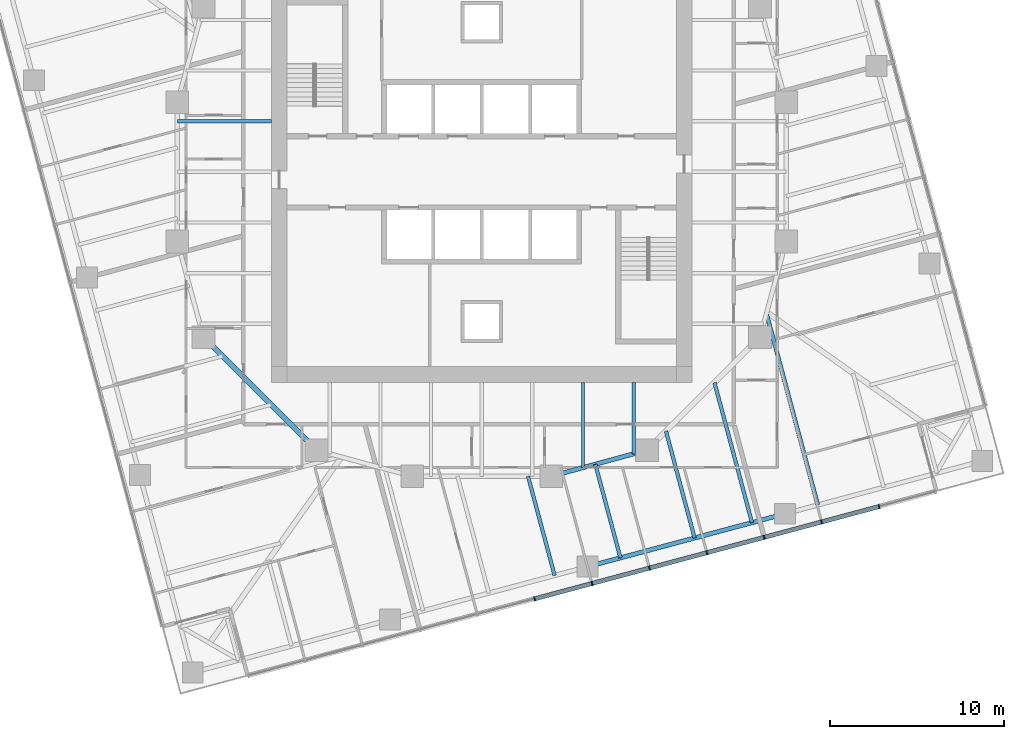
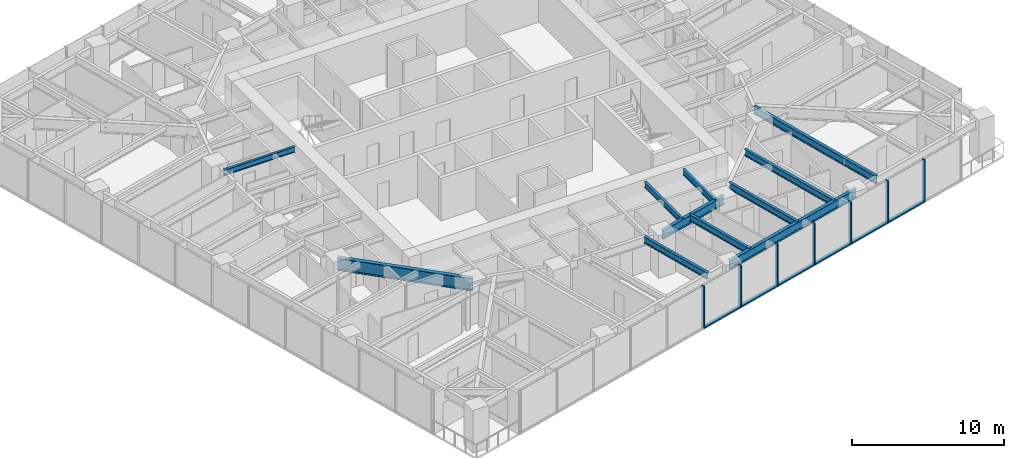
# One storey, part 3 of 13: 13 members, 11 beams, 1 element without a shape of its own.
"""IFC4 building model written with IfcOpenShell, lengths in metres."""

from ifc_helpers import new_model, si_unit, direction, frame, origin, origin_2d, place, context, subcontext, project, spatial, rectangle, i_section, extrude, material, material_profile, profile_set, type_object, element, aggregate, save


model = new_model("IFC4")

# Units and contexts
model_context = context("Model", 3, precision=1e-05, world=origin(), true_north=direction((0.0, 1.0)))
body_context = subcontext(model_context, "Body", "Model", "MODEL_VIEW")
ifc_project = project(units=[si_unit("LENGTHUNIT", "METRE"), si_unit("AREAUNIT", "SQUARE_METRE"), si_unit("VOLUMEUNIT", "CUBIC_METRE"), si_unit("PLANEANGLEUNIT", "RADIAN"), si_unit("MASSUNIT", "GRAM", prefix="KILO")], contexts=[model_context])

# Site, building, storey
site_placement = place(None, origin())
site = spatial("IfcSite", under=ifc_project, at=site_placement, CompositionType="ELEMENT")
building_placement = place(site_placement, origin())
building = spatial("IfcBuilding", under=site, at=building_placement, Name="Torsade Residences", CompositionType="ELEMENT")
storey_placement = place(building_placement, frame((0.0, 0.0, 118.39990234375)))
storey = spatial("IfcBuildingStorey", under=building, at=storey_placement, Name="L32", CompositionType="ELEMENT", Elevation=118.39990234375)

# Beams
ifc_material_1 = material(Name="Steel grade 300", Category="steel")
ifc_material_profile_1 = material_profile(ifc_material_1, i_section(OverallWidth=0.25, OverallDepth=0.699951171875, WebThickness=0.010009765625, FlangeThickness=0.02001953125, at=origin_2d()), Name="700WB130")
ifc_profile_set_1 = profile_set([ifc_material_profile_1], Name="Steel grade 300")
beam_type_1 = type_object("IfcBeamType", Name="EDGE BEAM 700WB130", PredefinedType="SPANDREL", material=ifc_profile_set_1)
beam_1_placement = place(storey_placement, frame((46.082275390625, 7.30078125, 2.900146484375), z_axis=(0.965928018634, 0.258810863021, 0.0), x_axis=(-0.258810863021, 0.965928018634, 0.0)))
element("IfcBeam", 1, at=beam_1_placement, inside=storey, type_object=beam_type_1, Name="Edge beam 03 L33", PredefinedType="SPANDREL", context=body_context, shape_type="SweptSolid", body=[
    extrude(i_section(OverallWidth=0.25, OverallDepth=0.699951171875, WebThickness=0.010009765625, FlangeThickness=0.02001953125, at=origin_2d()), origin(), (0.0, 0.0, 1.0), 11.75),
])
ifc_material_2 = material(Name="Steel grade 300", Category="steel")
ifc_material_profile_2 = material_profile(ifc_material_2, i_section(OverallWidth=0.18994140625, OverallDepth=0.4541015625, WebThickness=0.008544921875, FlangeThickness=0.0126953125, FilletRadius=0.011474609375, at=origin_2d()), Name="460UB67.1")
ifc_profile_set_2 = profile_set([ifc_material_profile_2], Name="Steel grade 300")
beam_type_2 = type_object("IfcBeamType", Name="INNER FLOOR BEAM 460UB67.1", PredefinedType="JOIST", material=ifc_profile_set_2)
beam_2_placement = place(storey_placement, frame((48.737548828125, 17.89990234375, 3.023193359375), z_axis=(0.0, -1.0, 0.0), x_axis=(1.0, 0.0, 0.0)))
element("IfcBeam", 2, at=beam_2_placement, inside=storey, type_object=beam_type_2, Name="Inner floor beam IS01 L33", PredefinedType="JOIST", context=body_context, shape_type="SweptSolid", body=[
    extrude(i_section(OverallWidth=0.18994140625, OverallDepth=0.4541015625, WebThickness=0.008544921875, FlangeThickness=0.0126953125, FilletRadius=0.011474609375, at=origin_2d()), origin(), (0.0, 0.0, 1.0), 4.10791015625),
])
beam_3_placement = place(storey_placement, frame((45.824951171875, 17.89990234375, 3.023193359375), z_axis=(0.0, -1.0, 0.0), x_axis=(1.0, 0.0, 0.0)))
element("IfcBeam", 3, at=beam_3_placement, inside=storey, type_object=beam_type_2, Name="Inner floor beam IS02 L33", PredefinedType="JOIST", context=body_context, shape_type="SweptSolid", body=[
    extrude(i_section(OverallWidth=0.18994140625, OverallDepth=0.4541015625, WebThickness=0.008544921875, FlangeThickness=0.0126953125, FilletRadius=0.011474609375, at=origin_2d()), origin(), (0.0, 0.0, 1.0), 4.902099609375),
])
beam_4_placement = place(storey_placement, frame((27.89990234375, 32.91259765625, 3.023193359375), z_axis=(-1.0, 0.0, 0.0), x_axis=(0.0, -1.0, 0.0)))
element("IfcBeam", 4, at=beam_4_placement, inside=storey, type_object=beam_type_2, Name="Inner floor beam IW03 L33", PredefinedType="JOIST", context=body_context, shape_type="SweptSolid", body=[
    extrude(i_section(OverallWidth=0.18994140625, OverallDepth=0.4541015625, WebThickness=0.008544921875, FlangeThickness=0.0126953125, FilletRadius=0.011474609375, at=origin_2d()), origin(), (0.0, 0.0, 1.0), 5.39990234375),
])

# Curtain wall, members
ifc_material_3 = material(Name="Aluminium and glass", Category="aluminium")
curtain_wall_type = type_object("IfcCurtainWallType", Name="FRITTED GLASS CURTAIN WALL MID ZONE", PredefinedType="NOTDEFINED", material=ifc_material_3)
curtain_wall_placement = place(storey_placement, origin())
curtain_wall = element("IfcCurtainWall", 5, at=curtain_wall_placement, inside=storey, type_object=curtain_wall_type, Name="Curtain wall L32 face 1", PredefinedType="NOTDEFINED")
ifc_material_4 = material(Name="Aluminium mullion", Category="aluminium")
ifc_material_profile_3 = material_profile(ifc_material_4, rectangle(XDim=0.25, YDim=0.080078125, at=origin_2d()), Name="MID ZONE CURTAIN WALL MULLION 250x80")
ifc_profile_set_3 = profile_set([ifc_material_profile_3], Name="Aluminium mullion")
member_type_1 = type_object("IfcMemberType", Name="MID ZONE CURTAIN WALL MULLION 250x80", PredefinedType="MULLION", material=ifc_profile_set_3)
member_1_placement = place(storey_placement, frame((43.040771484375, 5.450439453125, 0.0), z_axis=(0.0, 0.0, 1.0), x_axis=(-0.258819047783, 0.965925825571, 0.0)))
member_1 = element("IfcMember", 6, at=member_1_placement, type_object=member_type_1, Name="Mullion 6", PredefinedType="MULLION", context=body_context, shape_type="SweptSolid", body=[
    extrude(rectangle(XDim=0.25, YDim=0.080078125, at=origin_2d()), origin(), (0.0, 0.0, 1.0), 3.400146484375),
])
member_2_placement = place(storey_placement, frame((46.341064453125, 6.334716796875, 0.0), z_axis=(0.0, 0.0, 1.0), x_axis=(-0.258819047783, 0.965925825571, 0.0)))
member_2 = element("IfcMember", 7, at=member_2_placement, type_object=member_type_1, Name="Mullion 7", PredefinedType="MULLION", context=body_context, shape_type="SweptSolid", body=[
    extrude(rectangle(XDim=0.25, YDim=0.080078125, at=origin_2d()), origin(), (0.0, 0.0, 1.0), 3.400146484375),
])
member_3_placement = place(storey_placement, frame((49.641357421875, 7.218994140625, 0.0), z_axis=(0.0, 0.0, 1.0), x_axis=(-0.258819047783, 0.965925825571, 0.0)))
member_3 = element("IfcMember", 8, at=member_3_placement, type_object=member_type_1, Name="Mullion 8", PredefinedType="MULLION", context=body_context, shape_type="SweptSolid", body=[
    extrude(rectangle(XDim=0.25, YDim=0.080078125, at=origin_2d()), origin(), (0.0, 0.0, 1.0), 3.400146484375),
])
member_4_placement = place(storey_placement, frame((52.941650390625, 8.103515625, 0.0), z_axis=(0.0, 0.0, 1.0), x_axis=(-0.258819047783, 0.965925825571, 0.0)))
member_4 = element("IfcMember", 9, at=member_4_placement, type_object=member_type_1, Name="Mullion 9", PredefinedType="MULLION", context=body_context, shape_type="SweptSolid", body=[
    extrude(rectangle(XDim=0.25, YDim=0.080078125, at=origin_2d()), origin(), (0.0, 0.0, 1.0), 3.400146484375),
])
member_5_placement = place(storey_placement, frame((56.24169921875, 8.98779296875, 0.0), z_axis=(0.0, 0.0, 1.0), x_axis=(-0.258819047783, 0.965925825571, 0.0)))
member_5 = element("IfcMember", 10, at=member_5_placement, type_object=member_type_1, Name="Mullion 10", PredefinedType="MULLION", context=body_context, shape_type="SweptSolid", body=[
    extrude(rectangle(XDim=0.25, YDim=0.080078125, at=origin_2d()), origin(), (0.0, 0.0, 1.0), 3.400146484375),
])
member_6_placement = place(storey_placement, frame((59.5419921875, 9.8720703125, 0.0), z_axis=(0.0, 0.0, 1.0), x_axis=(-0.258819047783, 0.965925825571, 0.0)))
member_6 = element("IfcMember", 11, at=member_6_placement, type_object=member_type_1, Name="Mullion 11", PredefinedType="MULLION", context=body_context, shape_type="SweptSolid", body=[
    extrude(rectangle(XDim=0.25, YDim=0.080078125, at=origin_2d()), origin(), (0.0, 0.0, 1.0), 3.400146484375),
])
member_7_placement = place(storey_placement, frame((62.84228515625, 10.75634765625, 0.0), z_axis=(0.0, 0.0, 1.0), x_axis=(-0.258819047783, 0.965925825571, 0.0)))
member_7 = element("IfcMember", 12, at=member_7_placement, type_object=member_type_1, Name="Mullion 12", PredefinedType="MULLION", context=body_context, shape_type="SweptSolid", body=[
    extrude(rectangle(XDim=0.25, YDim=0.080078125, at=origin_2d()), origin(), (0.0, 0.0, 1.0), 3.400146484375),
])
ifc_material_5 = material(Name="Aluminium transom", Category="aluminium")
ifc_material_profile_4 = material_profile(ifc_material_5, rectangle(XDim=0.25, YDim=0.110107421875, at=origin_2d()), Name="MID ZONE CURTAIN WALL TRANSOM 250x110")
ifc_profile_set_4 = profile_set([ifc_material_profile_4], Name="Aluminium transom")
member_type_2 = type_object("IfcMemberType", Name="MID ZONE CURTAIN WALL TRANSOM 250x110", PredefinedType="USERDEFINED", material=ifc_profile_set_4)
member_8_placement = place(storey_placement, frame((43.079345703125, 5.4609375, 0.05517578125), z_axis=(0.965934335648, 0.258787285653, 0.0), x_axis=(-0.258787285653, 0.965934335648, 0.0)))
member_8 = element("IfcMember", 13, at=member_8_placement, type_object=member_type_2, Name="Transom 6.1", ObjectType="TRANSOM", PredefinedType="USERDEFINED", context=body_context, shape_type="SweptSolid", body=[
    extrude(rectangle(XDim=0.25, YDim=0.110107421875, at=origin_2d()), origin(), (0.0, 0.0, 1.0), 3.3369140625),
])
member_9_placement = place(storey_placement, frame((46.379638671875, 6.34521484375, 0.05517578125), z_axis=(0.965934335648, 0.258787285653, 0.0), x_axis=(-0.258787285653, 0.965934335648, 0.0)))
member_9 = element("IfcMember", 14, at=member_9_placement, type_object=member_type_2, Name="Transom 7.1", ObjectType="TRANSOM", PredefinedType="USERDEFINED", context=body_context, shape_type="SweptSolid", body=[
    extrude(rectangle(XDim=0.25, YDim=0.110107421875, at=origin_2d()), origin(), (0.0, 0.0, 1.0), 3.3369140625),
])
member_10_placement = place(storey_placement, frame((49.679931640625, 7.2294921875, 0.05517578125), z_axis=(0.965929435155, 0.258805576255, 0.0), x_axis=(-0.258805576255, 0.965929435155, 0.0)))
member_10 = element("IfcMember", 15, at=member_10_placement, type_object=member_type_2, Name="Transom 8.1", ObjectType="TRANSOM", PredefinedType="USERDEFINED", context=body_context, shape_type="SweptSolid", body=[
    extrude(rectangle(XDim=0.25, YDim=0.110107421875, at=origin_2d()), origin(), (0.0, 0.0, 1.0), 3.336669921875),
])
member_11_placement = place(storey_placement, frame((52.980224609375, 8.11376953125, 0.05517578125), z_axis=(0.965929435155, 0.258805576255, 0.0), x_axis=(-0.258805576255, 0.965929435155, 0.0)))
member_11 = element("IfcMember", 16, at=member_11_placement, type_object=member_type_2, Name="Transom 9.1", ObjectType="TRANSOM", PredefinedType="USERDEFINED", context=body_context, shape_type="SweptSolid", body=[
    extrude(rectangle(XDim=0.25, YDim=0.110107421875, at=origin_2d()), origin(), (0.0, 0.0, 1.0), 3.336669921875),
])
member_12_placement = place(storey_placement, frame((56.280517578125, 8.998046875, 0.05517578125), z_axis=(0.965929435155, 0.258805576255, 0.0), x_axis=(-0.258805576255, 0.965929435155, 0.0)))
member_12 = element("IfcMember", 17, at=member_12_placement, type_object=member_type_2, Name="Transom 10.1", ObjectType="TRANSOM", PredefinedType="USERDEFINED", context=body_context, shape_type="SweptSolid", body=[
    extrude(rectangle(XDim=0.25, YDim=0.110107421875, at=origin_2d()), origin(), (0.0, 0.0, 1.0), 3.336669921875),
])
member_13_placement = place(storey_placement, frame((59.580810546875, 9.88232421875, 0.05517578125), z_axis=(0.965929435155, 0.258805576255, 0.0), x_axis=(-0.258805576255, 0.965929435155, 0.0)))
member_13 = element("IfcMember", 18, at=member_13_placement, type_object=member_type_2, Name="Transom 11.1", ObjectType="TRANSOM", PredefinedType="USERDEFINED", context=body_context, shape_type="SweptSolid", body=[
    extrude(rectangle(XDim=0.25, YDim=0.110107421875, at=origin_2d()), origin(), (0.0, 0.0, 1.0), 3.336669921875),
])
aggregate(curtain_wall, [member_1, member_2, member_3, member_4, member_5, member_6, member_7, member_8, member_9, member_10, member_11, member_12, member_13])

# Beams
ifc_material_6 = material(Name="Steel grade 300", Category="steel")
ifc_material_profile_5 = material_profile(ifc_material_6, i_section(OverallWidth=0.300048828125, OverallDepth=1.0, WebThickness=0.01611328125, FlangeThickness=0.028076171875, at=origin_2d()), Name="1000WB215")
ifc_profile_set_5 = profile_set([ifc_material_profile_5], Name="Steel grade 300")
beam_type_3 = type_object("IfcBeamType", Name="RING CORNER GIRDER 1000WB215", PredefinedType="BEAM", material=ifc_profile_set_5)
beam_5_placement = place(storey_placement, frame((24.0, 20.5, 2.75), z_axis=(0.707106781187, -0.707106781187, 0.0), x_axis=(0.707106781187, 0.707106781187, 0.0)))
element("IfcBeam", 19, at=beam_5_placement, inside=storey, type_object=beam_type_3, Name="Ring girder IR11 L33", PredefinedType="BEAM", context=body_context, shape_type="SweptSolid", body=[
    extrude(i_section(OverallWidth=0.300048828125, OverallDepth=1.0, WebThickness=0.01611328125, FlangeThickness=0.028076171875, at=origin_2d()), origin(), (0.0, 0.0, 1.0), 9.1923828125),
])
ifc_material_7 = material(Name="Steel grade 300", Category="steel")
ifc_material_profile_6 = material_profile(ifc_material_7, i_section(OverallWidth=0.25, OverallDepth=0.699951171875, WebThickness=0.010009765625, FlangeThickness=0.02001953125, at=origin_2d()), Name="700WB130")
ifc_profile_set_6 = profile_set([ifc_material_profile_6], Name="Steel grade 300")
beam_type_4 = type_object("IfcBeamType", Name="RING GIRDER 700WB130", PredefinedType="BEAM", material=ifc_profile_set_6)
beam_6_placement = place(storey_placement, frame((44.0, 12.5, 2.900146484375), z_axis=(0.964763821238, 0.263117405792, 0.0), x_axis=(-0.263117405792, 0.964763821238, 0.0)))
element("IfcBeam", 20, at=beam_6_placement, inside=storey, type_object=beam_type_4, Name="Ring girder IR14 L33", PredefinedType="BEAM", context=body_context, shape_type="SweptSolid", body=[
    extrude(i_section(OverallWidth=0.25, OverallDepth=0.699951171875, WebThickness=0.010009765625, FlangeThickness=0.02001953125, at=origin_2d()), origin(), (0.0, 0.0, 1.0), 5.700927734375),
])
ifc_material_8 = material(Name="Steel grade 300", Category="steel")
ifc_material_profile_7 = material_profile(ifc_material_8, i_section(OverallWidth=0.208984375, OverallDepth=0.528076171875, WebThickness=0.009521484375, FlangeThickness=0.01318359375, FilletRadius=0.013916015625, at=origin_2d()), Name="530UB82.0")
ifc_profile_set_7 = profile_set([ifc_material_profile_7], Name="Steel grade 300")
beam_type_5 = type_object("IfcBeamType", Name="SECONDARY BEAM 530UB82.0", PredefinedType="JOIST", material=ifc_profile_set_7)
beam_7_placement = place(storey_placement, frame((44.190673828125, 6.7939453125, 2.986083984375), z_axis=(-0.258837996141, 0.965920748174, 0.0), x_axis=(-0.965920748174, -0.258837996141, 0.0)))
element("IfcBeam", 21, at=beam_7_placement, inside=storey, type_object=beam_type_5, Name="Floor beam FS06 L33", PredefinedType="JOIST", context=body_context, shape_type="SweptSolid", body=[
    extrude(i_section(OverallWidth=0.208984375, OverallDepth=0.528076171875, WebThickness=0.009521484375, FlangeThickness=0.01318359375, FilletRadius=0.013916015625, at=origin_2d()), origin(), (0.0, 0.0, 1.0), 5.907470703125),
])
beam_8_placement = place(storey_placement, frame((47.973876953125, 7.8076171875, 2.986083984375), z_axis=(-0.258829517553, 0.965923020144, 0.0), x_axis=(-0.965923020144, -0.258829517553, 0.0)))
element("IfcBeam", 22, at=beam_8_placement, inside=storey, type_object=beam_type_5, Name="Floor beam FS07 L33", PredefinedType="JOIST", context=body_context, shape_type="SweptSolid", body=[
    extrude(i_section(OverallWidth=0.208984375, OverallDepth=0.528076171875, WebThickness=0.009521484375, FlangeThickness=0.01318359375, FilletRadius=0.013916015625, at=origin_2d()), origin(), (0.0, 0.0, 1.0), 5.57275390625),
])
beam_9_placement = place(storey_placement, frame((52.239990234375, 8.95068359375, 2.986083984375), z_axis=(-0.258804520856, 0.965929717932, 0.0), x_axis=(-0.965929717932, -0.258804520856, 0.0)))
element("IfcBeam", 23, at=beam_9_placement, inside=storey, type_object=beam_type_5, Name="Floor beam FS08 L33", PredefinedType="JOIST", context=body_context, shape_type="SweptSolid", body=[
    extrude(i_section(OverallWidth=0.208984375, OverallDepth=0.528076171875, WebThickness=0.009521484375, FlangeThickness=0.01318359375, FilletRadius=0.013916015625, at=origin_2d()), origin(), (0.0, 0.0, 1.0), 6.360107421875),
])
beam_10_placement = place(storey_placement, frame((55.540283203125, 9.8349609375, 2.986083984375), z_axis=(-0.258833232221, 0.96592202475, 0.0), x_axis=(-0.96592202475, -0.258833232221, 0.0)))
element("IfcBeam", 24, at=beam_10_placement, inside=storey, type_object=beam_type_5, Name="Floor beam FS09 L33", PredefinedType="JOIST", context=body_context, shape_type="SweptSolid", body=[
    extrude(i_section(OverallWidth=0.208984375, OverallDepth=0.528076171875, WebThickness=0.009521484375, FlangeThickness=0.01318359375, FilletRadius=0.013916015625, at=origin_2d()), origin(), (0.0, 0.0, 1.0), 8.33251953125),
])
ifc_material_9 = material(Name="Steel grade 300", Category="steel")
ifc_material_profile_8 = material_profile(ifc_material_9, i_section(OverallWidth=0.22900390625, OverallDepth=0.612060546875, WebThickness=0.011962890625, FlangeThickness=0.01953125, FilletRadius=0.013916015625, at=origin_2d()), Name="610UB125")
ifc_profile_set_8 = profile_set([ifc_material_profile_8], Name="Steel grade 300")
beam_type_6 = type_object("IfcBeamType", Name="SECONDARY BEAM 610UB125", PredefinedType="JOIST", material=ifc_profile_set_8)
beam_11_placement = place(storey_placement, frame((59.323486328125, 10.8486328125, 2.944091796875), z_axis=(-0.258807068179, 0.965929035417, 0.0), x_axis=(-0.965929035417, -0.258807068179, 0.0)))
element("IfcBeam", 25, at=beam_11_placement, inside=storey, type_object=beam_type_6, Name="Floor beam FS10 L33", PredefinedType="JOIST", context=body_context, shape_type="SweptSolid", body=[
    extrude(i_section(OverallWidth=0.22900390625, OverallDepth=0.612060546875, WebThickness=0.011962890625, FlangeThickness=0.01953125, FilletRadius=0.013916015625, at=origin_2d()), origin(), (0.0, 0.0, 1.0), 11.40380859375),
])

save(model, "model.ifc")
